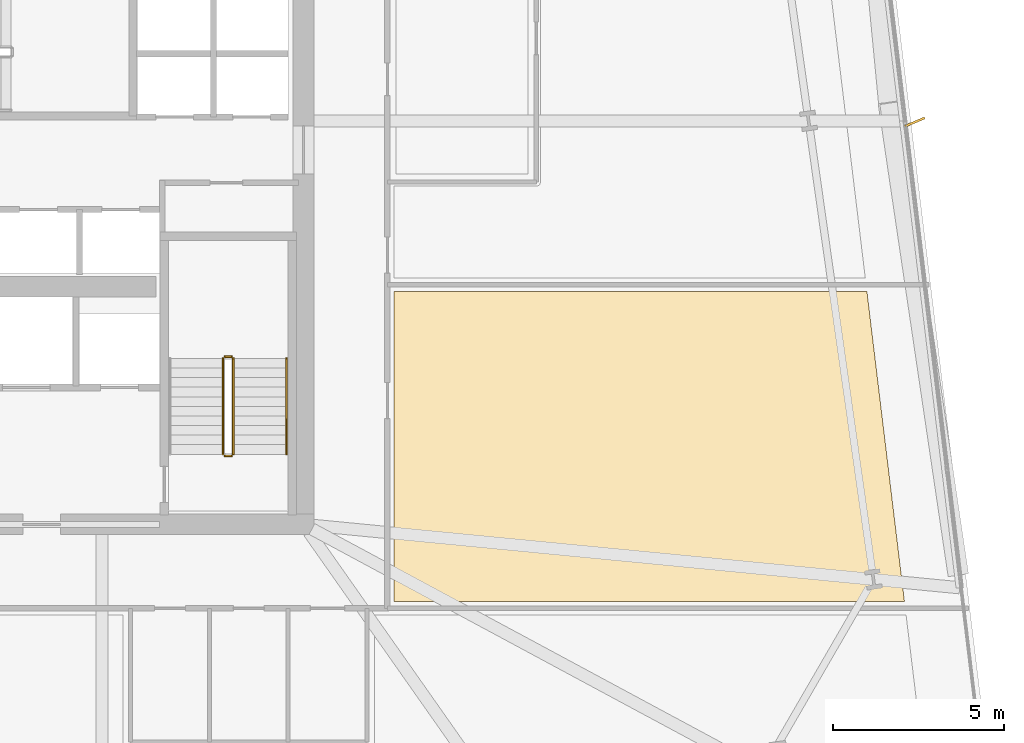
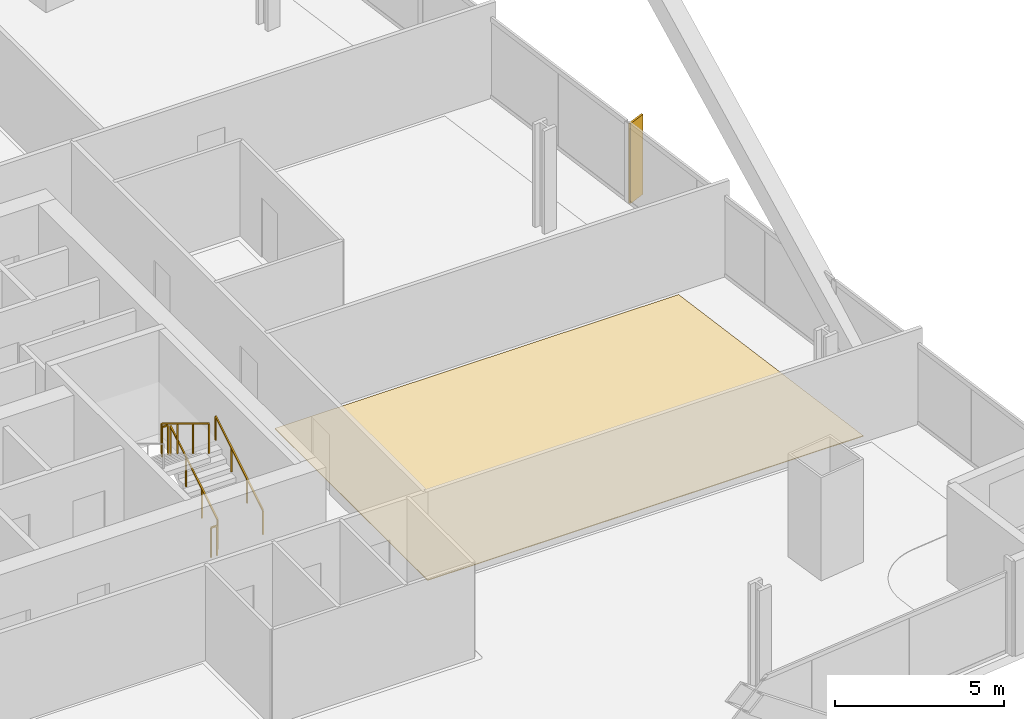
# One storey, part 31 of 33: 5 railings, 1 covering, 1 shading device.
"""IFC4 building model written with IfcOpenShell, lengths in metres."""

from ifc_helpers import new_model, si_unit, direction, frame, origin, origin_2d, place, context, subcontext, project, spatial, polyline, rectangle, outline, extrude, source, transform, mapped, material, layer, layer_set, type_object, element, save


model = new_model("IFC4")

# Units and contexts
model_context = context("Model", 3, precision=1e-05, world=origin(), true_north=direction((0.0, 1.0)))
body_context = subcontext(model_context, "Body", "Model", "MODEL_VIEW")
ifc_project = project(units=[si_unit("LENGTHUNIT", "METRE"), si_unit("AREAUNIT", "SQUARE_METRE"), si_unit("VOLUMEUNIT", "CUBIC_METRE"), si_unit("PLANEANGLEUNIT", "RADIAN"), si_unit("MASSUNIT", "GRAM", prefix="KILO")], contexts=[model_context])

# Site, building, storey
site_placement = place(None, origin())
site = spatial("IfcSite", under=ifc_project, at=site_placement, CompositionType="ELEMENT")
building_placement = place(site_placement, origin())
building = spatial("IfcBuilding", under=site, at=building_placement, Name="Haldenkirk Collegiate Tower", CompositionType="ELEMENT")
storey_placement = place(building_placement, frame((0.0, 0.0, 51.449951171875)))
storey = spatial("IfcBuildingStorey", under=building, at=storey_placement, Name="L11", CompositionType="ELEMENT", Elevation=51.449951171875)

# Covering
ifc_material_1 = material(Name="Polished collegiate terrazzo", Category="concrete")
ifc_layer_1 = layer(ifc_material_1, 0.02490234375)
ifc_layer_set_1 = layer_set([ifc_layer_1], Name="Polished collegiate terrazzo")
covering_type = type_object("IfcCoveringType", Name="COV-FLOOR-TERRAZZO", PredefinedType="FLOORING", material=ifc_layer_set_1)
covering_placement = place(storey_placement, origin())
element("IfcCovering", 1, at=covering_placement, inside=storey, type_object=covering_type, Name="L11 academic room finish 12", PredefinedType="FLOORING", context=body_context, shape_type="SweptSolid", body=[
    extrude(outline(polyline([(62.5537109375, 15.75), (47.64990234375, 15.75), (47.64990234375, 24.800048828125), (61.45849609375, 24.800048828125), (62.5537109375, 15.75)])), origin(), (0.0, 0.0, 1.0), 0.025146484375),
])

# Railings
ifc_material_2 = material(Name="Painted architectural tubular steel", Category="steel")
railing_type_1 = type_object("IfcRailingType", Name="RLG-STAIR-GUARD-1100", PredefinedType="BALUSTRADE", material=ifc_material_2)
railing_1_placement = place(storey_placement, frame((42.949951171875, 20.050048828125, 0.17041015625)))
element("IfcRailing", 2, at=railing_1_placement, inside=storey, type_object=railing_type_1, Name="L11 ST-2 stair guard 1", PredefinedType="BALUSTRADE", context=body_context, shape_type="SweptSolid", body=[
    extrude(rectangle(XDim=0.048095703125, YDim=0.048095703125, at=origin_2d()), frame((0.0, 0.0, 1.076171875), z_axis=(0.0, 0.854169791009, 0.51999420009), x_axis=(-1.0, 0.0, 0.0)), (0.0, 0.0, 1.0), 3.278076171875),
    extrude(rectangle(XDim=0.0419921875, YDim=0.0419921875, at=origin_2d()), origin(), (0.0, 0.0, 1.0), 1.052001953125),
    extrude(rectangle(XDim=0.0419921875, YDim=0.0419921875, at=origin_2d()), frame((0.0, 0.933349609375, 0.568115234375)), (0.0, 0.0, 1.0), 1.052001953125),
    extrude(rectangle(XDim=0.0419921875, YDim=0.0419921875, at=origin_2d()), frame((0.0, 1.86669921875, 1.136474609375)), (0.0, 0.0, 1.0), 1.052001953125),
    extrude(rectangle(XDim=0.0419921875, YDim=0.0419921875, at=origin_2d()), frame((0.0, 2.800048828125, 1.70458984375)), (0.0, 0.0, 1.0), 1.052001953125),
])
railing_2_placement = place(storey_placement, frame((42.89990234375, 22.89990234375, 1.875)))
element("IfcRailing", 3, at=railing_2_placement, inside=storey, type_object=railing_type_1, Name="L11 ST-2 stair guard 2", PredefinedType="BALUSTRADE", context=body_context, shape_type="SweptSolid", body=[
    extrude(rectangle(XDim=0.048095703125, YDim=0.048095703125, at=origin_2d()), frame((0.0, 0.0, 1.076171875), z_axis=(-1.0, 0.0, 0.0), x_axis=(0.0, -1.0, 0.0)), (0.0, 0.0, 1.0), 0.199951171875),
    extrude(rectangle(XDim=0.0419921875, YDim=0.0419921875, at=origin_2d()), origin(), (0.0, 0.0, 1.0), 1.052001953125),
    extrude(rectangle(XDim=0.0419921875, YDim=0.0419921875, at=origin_2d()), frame((-0.199951171875, 0.0, 0.0)), (0.0, 0.0, 1.0), 1.052001953125),
])
railing_3_placement = place(storey_placement, frame((42.64990234375, 22.85009765625, 2.04541015625)))
element("IfcRailing", 4, at=railing_3_placement, inside=storey, type_object=railing_type_1, Name="L11 ST-2 stair guard 3", PredefinedType="BALUSTRADE", context=body_context, shape_type="SweptSolid", body=[
    extrude(rectangle(XDim=0.048095703125, YDim=0.048095703125, at=origin_2d()), frame((0.0, 0.0, 1.076171875), z_axis=(0.0, -0.854169791009, 0.51999420009), x_axis=(1.0, 0.0, 0.0)), (0.0, 0.0, 1.0), 3.278076171875),
    extrude(rectangle(XDim=0.0419921875, YDim=0.0419921875, at=origin_2d()), origin(), (0.0, 0.0, 1.0), 1.052001953125),
    extrude(rectangle(XDim=0.0419921875, YDim=0.0419921875, at=origin_2d()), frame((0.0, -0.933349609375, 0.568115234375)), (0.0, 0.0, 1.0), 1.052001953125),
    extrude(rectangle(XDim=0.0419921875, YDim=0.0419921875, at=origin_2d()), frame((0.0, -1.86669921875, 1.136474609375)), (0.0, 0.0, 1.0), 1.052001953125),
    extrude(rectangle(XDim=0.0419921875, YDim=0.0419921875, at=origin_2d()), frame((0.0, -2.800048828125, 1.70458984375)), (0.0, 0.0, 1.0), 1.052001953125),
])
railing_4_placement = place(storey_placement, frame((42.89990234375, 20.0, 0.0)))
element("IfcRailing", 5, at=railing_4_placement, inside=storey, type_object=railing_type_1, Name="L11 ST-2 stair guard 4", PredefinedType="BALUSTRADE", context=body_context, shape_type="SweptSolid", body=[
    extrude(rectangle(XDim=0.048095703125, YDim=0.048095703125, at=origin_2d()), frame((0.0, 0.0, 1.076171875), z_axis=(-1.0, 0.0, 0.0), x_axis=(0.0, -1.0, 0.0)), (0.0, 0.0, 1.0), 0.199951171875),
    extrude(rectangle(XDim=0.0419921875, YDim=0.0419921875, at=origin_2d()), origin(), (0.0, 0.0, 1.0), 1.052001953125),
    extrude(rectangle(XDim=0.0419921875, YDim=0.0419921875, at=origin_2d()), frame((-0.199951171875, 0.0, 0.0)), (0.0, 0.0, 1.0), 1.052001953125),
])
railing_type_2 = type_object("IfcRailingType", Name="RLG-STAIR-HANDRAIL-900", PredefinedType="HANDRAIL", material=ifc_material_2)
railing_5_placement = place(storey_placement, frame((44.5, 20.050048828125, 0.17041015625)))
element("IfcRailing", 6, at=railing_5_placement, inside=storey, type_object=railing_type_2, Name="L11 ST-2 stair handrail 1", PredefinedType="HANDRAIL", context=body_context, shape_type="SweptSolid", body=[
    extrude(rectangle(XDim=0.048095703125, YDim=0.048095703125, at=origin_2d()), frame((0.0, 0.0, 0.8759765625), z_axis=(0.0, 0.854169791009, 0.51999420009), x_axis=(-1.0, 0.0, 0.0)), (0.0, 0.0, 1.0), 3.278076171875),
    extrude(rectangle(XDim=0.0419921875, YDim=0.0419921875, at=origin_2d()), origin(), (0.0, 0.0, 1.0), 0.851806640625),
    extrude(rectangle(XDim=0.0419921875, YDim=0.0419921875, at=origin_2d()), frame((0.0, 0.933349609375, 0.568115234375)), (0.0, 0.0, 1.0), 0.851806640625),
    extrude(rectangle(XDim=0.0419921875, YDim=0.0419921875, at=origin_2d()), frame((0.0, 1.86669921875, 1.136474609375)), (0.0, 0.0, 1.0), 0.851806640625),
    extrude(rectangle(XDim=0.0419921875, YDim=0.0419921875, at=origin_2d()), frame((0.0, 2.800048828125, 1.70458984375)), (0.0, 0.0, 1.0), 0.851806640625),
])

# Shading device
ifc_material_3 = material(Name="Anodised architectural bronze aluminium", Category="aluminium")
ifc_layer_2 = layer(ifc_material_3, 0.06494140625)
ifc_layer_set_2 = layer_set([ifc_layer_2], Name="Anodised architectural bronze aluminium")
shading_device_type = type_object("IfcShadingDeviceType", Name="SHD-FIN-BRONZE-620", PredefinedType="USERDEFINED", material=ifc_layer_set_2)
shared_shape = source(origin(), body_context, "Body", "SweptSolid", [
    extrude(rectangle(XDim=0.6201171875, YDim=0.06494140625, at=origin_2d()), origin(), (0.0, 0.0, 1.0), 2.89111328125),
])
shading_device_placement = place(storey_placement, frame((62.858642578125, 29.75390625, 0.0), z_axis=(0.0, 0.0, 1.0), x_axis=(0.921185405566, 0.38912395014, 0.0)))
element("IfcShadingDevice", 7, at=shading_device_placement, inside=storey, type_object=shading_device_type, Name="L11 folded bronze solar fin 1", ObjectType="FIN", PredefinedType="USERDEFINED", context=body_context, shape_type="MappedRepresentation", body=[
    mapped(shared_shape, transform((0.0, 0.0, 0.0), x_axis=(1.0, 0.0, 0.0), y_axis=(0.0, 1.0, 0.0), z_axis=(0.0, 0.0, 1.0), scale=1.0)),
])

save(model, "model.ifc")
